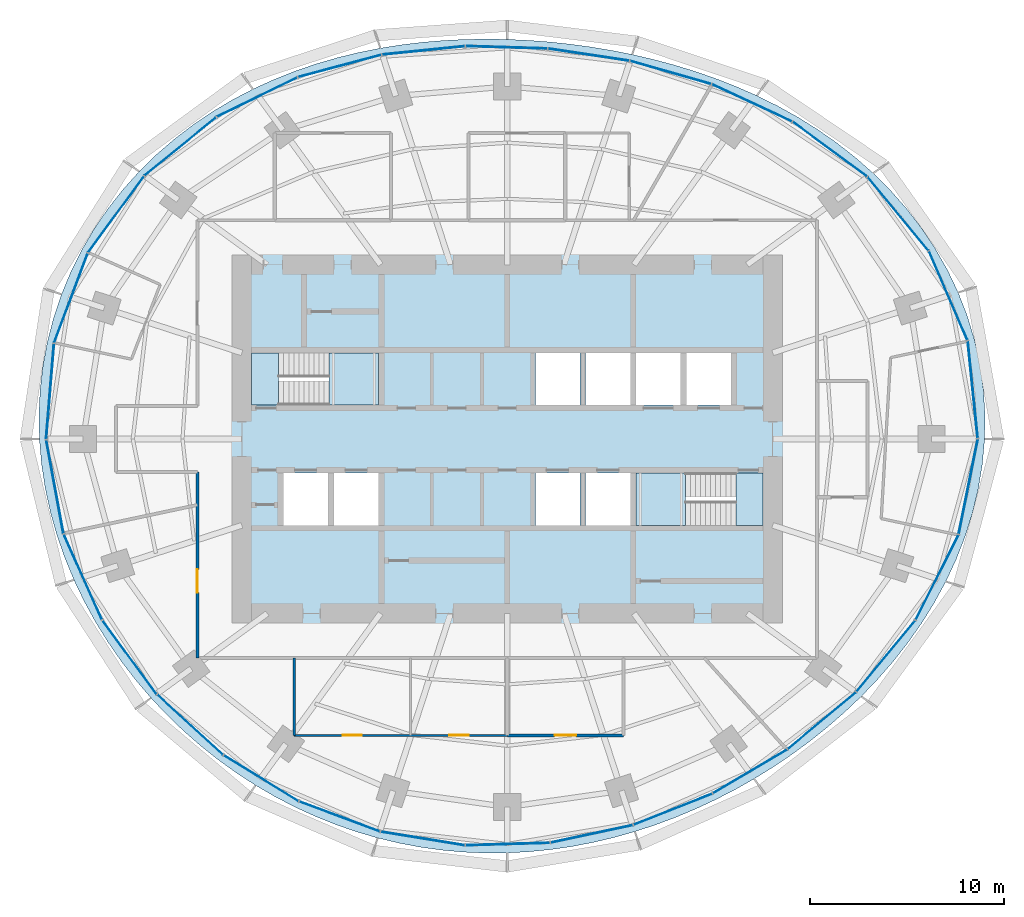
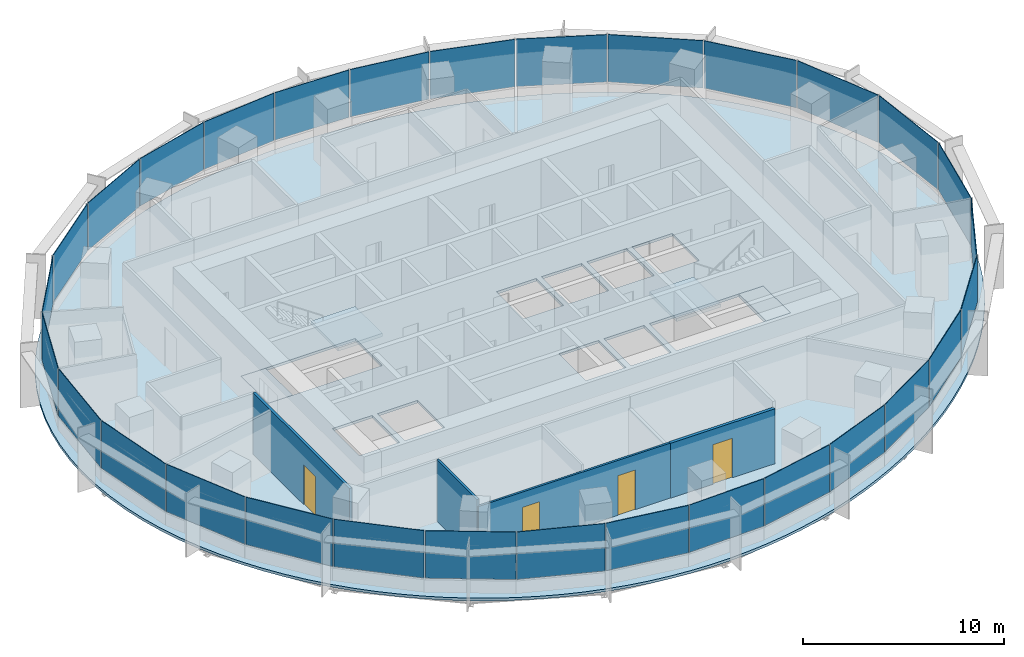
# One storey, part 9 of 14: 30 plates, 5 slabs, 4 doors, 4 walls, 4 openings, 8 elements without a shape of their own.
"""IFC4 building model written with IfcOpenShell, lengths in metres."""

import ifcopenshell
import ifcopenshell.guid

model = None  # the IFC model being written
_history = None  # IfcOwnerHistory: only IFC2X3 demands one
_inside = {}  # id of a spatial element -> (the spatial element, [elements in it])
_under = {}  # id of a project, library or spatial element -> (it, [spatial elements below it])
_declared = {}  # id of a project -> (the project, [libraries it declares])
_typed = {}  # id of a type object -> (the type object, [elements of that type])
_made_of = {}  # id of a material, layer set ... -> (it, [elements and type objects made of it])


def new_model(schema):
    """Start an empty IFC model of exactly this schema.

    Asked for "IFC4X3", IfcOpenShell would pick the latest addendum, in which some entities
    have other attributes; the version numbers below select the first issue.
    IFC2X3 requires an IfcOwnerHistory on every rooted entity: one is made here for all.
    """
    global model, _history
    if schema == "IFC4X3":
        model = ifcopenshell.file(schema_version=(4, 3, 0, 0))
    else:
        model = ifcopenshell.file(schema=schema)
    _inside.clear()
    _under.clear()
    _declared.clear()
    _typed.clear()
    _made_of.clear()
    _history = None
    if model.schema == "IFC2X3":
        org = make("IfcOrganization", Name="unknown")
        user = make(
            "IfcPersonAndOrganization",
            ThePerson=make("IfcPerson", FamilyName="unknown"),
            TheOrganization=org,
        )
        app = make(
            "IfcApplication",
            ApplicationDeveloper=org,
            Version="unknown",
            ApplicationFullName="unknown",
            ApplicationIdentifier="unknown",
        )
        _history = make(
            "IfcOwnerHistory",
            OwningUser=user,
            OwningApplication=app,
            ChangeAction="ADDED",
            CreationDate=0,
        )
    return model


def make(cls, **values):
    """One entity of the class cls with the attributes given. An attribute that is None is left unset."""
    return model.create_entity(
        cls, **{name: value for name, value in values.items() if value is not None}
    )


def rooted(cls, **values):
    """An entity with a GlobalId (a new one), such as an element, a storey or a relation."""
    return make(cls, GlobalId=ifcopenshell.guid.new(), OwnerHistory=_history, **values)


def si_unit(unit_type, name, prefix=None):
    """IfcSIUnit, for example si_unit("LENGTHUNIT", "METRE", prefix="MILLI")."""
    return make("IfcSIUnit", UnitType=unit_type, Prefix=prefix, Name=name)


def assignment(units):
    """IfcUnitAssignment: the units of a project."""
    return None if units is None else make("IfcUnitAssignment", Units=units)


def point(xyz):
    """IfcCartesianPoint."""
    return None if xyz is None else make("IfcCartesianPoint", Coordinates=xyz)


def direction(xyz):
    """IfcDirection."""
    return None if xyz is None else make("IfcDirection", DirectionRatios=xyz)


def frame(location, z_axis=None, x_axis=None):
    """IfcAxis2Placement3D, a coordinate frame: its origin and axes. An axis left out is left unset."""
    return make(
        "IfcAxis2Placement3D",
        Location=point(location),
        Axis=direction(z_axis),
        RefDirection=direction(x_axis),
    )


def frame_2d(location, x_axis=None):
    """IfcAxis2Placement2D, a coordinate frame in the plane: its origin and x axis."""
    return make(
        "IfcAxis2Placement2D", Location=point(location), RefDirection=direction(x_axis)
    )


def origin():
    """The frame at (0, 0, 0) with its axes left unset."""
    return frame((0.0, 0.0, 0.0))


def origin_2d():
    """The frame at (0, 0) in the plane with its x axis left unset."""
    return frame_2d((0.0, 0.0))


def place(relative_to, where):
    """IfcLocalPlacement: puts the frame where relative to a parent placement (None: the world)."""
    return make(
        "IfcLocalPlacement", PlacementRelTo=relative_to, RelativePlacement=where
    )


def context(
    kind, dimensions, precision=None, world=None, true_north=None, identifier=None
):
    """IfcGeometricRepresentationContext, for example the 3D "Model" context."""
    return make(
        "IfcGeometricRepresentationContext",
        ContextIdentifier=identifier,
        ContextType=kind,
        CoordinateSpaceDimension=dimensions,
        Precision=precision,
        WorldCoordinateSystem=world,
        TrueNorth=true_north,
    )


def subcontext(parent, identifier, kind, view, scale=None):
    """IfcGeometricRepresentationSubContext, for example "Body" below "Model"."""
    return make(
        "IfcGeometricRepresentationSubContext",
        ContextIdentifier=identifier,
        ContextType=kind,
        ParentContext=parent,
        TargetScale=scale,
        TargetView=view,
    )


def project(units=None, contexts=None):
    """IfcProject with its units and contexts."""
    return rooted(
        "IfcProject",
        Name="project",
        RepresentationContexts=contexts,
        UnitsInContext=assignment(units),
    )


def spatial(cls, under=None, at=None, **own):
    """A site, building, storey or space (cls), placed at a placement, below another one or the project."""
    s = rooted(cls, ObjectPlacement=at, **own)
    if under is not None:
        _under.setdefault(under.id(), (under, []))[1].append(s)
    return s


def polyline(points):
    """IfcPolyline through the points."""
    return make("IfcPolyline", Points=[point(p) for p in points])


def profile(cls, at=None, kind="AREA", **sizes):
    """A parametric profile (cls). Its sizes go by their IFC names, for example OverallWidth=200.0."""
    return make(cls, ProfileType=kind, Position=at, **sizes)


def rectangle(**sizes):
    """IfcRectangleProfileDef."""
    return profile("IfcRectangleProfileDef", **sizes)


def outline(outer, holes=None, kind="AREA"):
    """IfcArbitraryClosedProfileDef: a profile drawn as a closed curve; with holes, ...WithVoids."""
    if holes is None:
        return make("IfcArbitraryClosedProfileDef", ProfileType=kind, OuterCurve=outer)
    return make(
        "IfcArbitraryProfileDefWithVoids",
        ProfileType=kind,
        OuterCurve=outer,
        InnerCurves=holes,
    )


def extrude(swept, where, along, depth):
    """IfcExtrudedAreaSolid: the profile swept, set in the frame where, extruded along a direction by depth."""
    return make(
        "IfcExtrudedAreaSolid",
        SweptArea=swept,
        Position=where,
        ExtrudedDirection=direction(along),
        Depth=depth,
    )


def shape(context_of_items, identifier, shape_type, items):
    """IfcShapeRepresentation: the items that make up one representation, for example the "Body"."""
    return make(
        "IfcShapeRepresentation",
        ContextOfItems=context_of_items,
        RepresentationIdentifier=identifier,
        RepresentationType=shape_type,
        Items=items,
    )


def material(Name=None, Category=None):
    """IfcMaterial."""
    return make("IfcMaterial", Name=Name, Category=Category)


def layer(
    of_material, thickness, ventilated=None, Name=None, Category=None, Priority=None
):
    """IfcMaterialLayer: one layer of a wall or slab, of a material (None: an air gap)."""
    return make(
        "IfcMaterialLayer",
        Material=of_material,
        LayerThickness=thickness,
        IsVentilated=ventilated,
        Name=Name,
        Category=Category,
        Priority=Priority,
    )


def layer_set(layers, Name=None):
    """IfcMaterialLayerSet."""
    return make("IfcMaterialLayerSet", MaterialLayers=layers, LayerSetName=Name)


def made_of(thing, what):
    """Note that an element or type object is made of a material, layer set ...; save() writes the relation."""
    if what is not None:
        _made_of.setdefault(what.id(), (what, []))[1].append(thing)
    return thing


def type_object(cls, material=None, **own):
    """A type object (cls), such as IfcWallType, which elements share."""
    return made_of(rooted(cls, **own), material)


def element(
    cls,
    number,
    at=None,
    inside=None,
    cuts=None,
    type_object=None,
    material=None,
    context=None,
    identifier="Body",
    shape_type=None,
    held_by="IfcProductDefinitionShape",
    body=None,
    shapes=None,
    **own,
):
    """One element of the class cls, such as IfcWall. Its Tag is "e" and its number.

    at: its placement. inside: the storey or other place that contains it. cuts: it is an
    opening in that element (IfcRelVoidsElement). A single representation is given by context,
    identifier, shape_type and body (its items); several are given by shapes. held_by: the class
    of the entity that holds the representations. save() writes the other relations.
    """
    e = rooted(cls, Tag="e%d" % number, ObjectPlacement=at, **own)
    if body is not None:
        shapes = [shape(context, identifier, shape_type, body)]
    if shapes is not None:
        e.Representation = make(held_by, Representations=shapes)
    if inside is not None:
        _inside.setdefault(inside.id(), (inside, []))[1].append(e)
    if cuts is not None:
        rooted(
            "IfcRelVoidsElement", RelatingBuildingElement=cuts, RelatedOpeningElement=e
        )
    if type_object is not None:
        _typed.setdefault(type_object.id(), (type_object, []))[1].append(e)
    return made_of(e, material)


def fill(opening, filler):
    """IfcRelFillsElement: the door or window that sits in an opening."""
    return rooted(
        "IfcRelFillsElement",
        RelatingOpeningElement=opening,
        RelatedBuildingElement=filler,
    )


def aggregate(whole, parts):
    """IfcRelAggregates: a whole, such as a stair, and the parts it consists of."""
    return rooted("IfcRelAggregates", RelatingObject=whole, RelatedObjects=parts)


def save(model, path):
    """Write the relations noted so far, then the file.

    IfcRelAggregates (storeys below a building ...), IfcRelContainedInSpatialStructure (elements
    in a storey), IfcRelDefinesByType, IfcRelAssociatesMaterial and IfcRelDeclares: one each for
    every whole, place, type object, material and project.
    """
    for whole, parts in _under.values():
        aggregate(whole, parts)
    for where, things in _inside.values():
        rooted(
            "IfcRelContainedInSpatialStructure",
            RelatedElements=things,
            RelatingStructure=where,
        )
    for kind, things in _typed.values():
        rooted("IfcRelDefinesByType", RelatedObjects=things, RelatingType=kind)
    for what, things in _made_of.values():
        rooted("IfcRelAssociatesMaterial", RelatedObjects=things, RelatingMaterial=what)
    for by, libraries in _declared.values():
        rooted("IfcRelDeclares", RelatingContext=by, RelatedDefinitions=libraries)
    model.write(path)


model = new_model("IFC4")

# Units and contexts
model_context = context("Model", 3, precision=1e-05, world=origin(), true_north=direction((0.0, 1.0)))
body_context = subcontext(model_context, "Body", "Model", "MODEL_VIEW")
ifc_project = project(units=[si_unit("LENGTHUNIT", "METRE"), si_unit("AREAUNIT", "SQUARE_METRE"), si_unit("VOLUMEUNIT", "CUBIC_METRE"), si_unit("PLANEANGLEUNIT", "RADIAN"), si_unit("MASSUNIT", "GRAM", prefix="KILO")], contexts=[model_context])

# Site, building, storey
site_placement = place(None, origin())
site = spatial("IfcSite", under=ifc_project, at=site_placement, CompositionType="ELEMENT")
building_placement = place(site_placement, origin())
building = spatial("IfcBuilding", under=site, at=building_placement, Name="Marramba Exchange Tower", CompositionType="ELEMENT")
storey_placement = place(building_placement, frame((0.0, 0.0, 203.300048828125)))
storey = spatial("IfcBuildingStorey", under=building, at=storey_placement, Name="L49", CompositionType="ELEMENT", Elevation=203.300048828125)

# Slab
ifc_material_1 = material(Name="Concrete N40", Category="concrete")
ifc_layer_1 = layer(ifc_material_1, 0.159912109375)
ifc_layer_set_1 = layer_set([ifc_layer_1], Name="Composite floor slab 160")
slab_type_1 = type_object("IfcSlabType", Name="Composite floor slab 160", PredefinedType="FLOOR", material=ifc_layer_set_1)
slab_1_placement = place(storey_placement, frame((0.0, 0.0, -0.16015625)))
element("IfcSlab", 1, at=slab_1_placement, inside=storey, type_object=slab_type_1, Name="Floor slab L49", PredefinedType="FLOOR", context=body_context, shape_type="SweptSolid", body=[
    extrude(outline(polyline([(24.64404296875, 0.0), (24.661376953125, 1.29248046875), (24.580078125, 2.58349609375), (24.399658203125, 3.864501953125), (24.12109375, 5.127197265625), (23.7470703125, 6.363037109375), (23.281494140625, 7.564697265625), (22.72900390625, 8.724853515625), (22.095947265625, 9.837646484375), (21.388427734375, 10.89794921875), (20.614013671875, 11.901611328125), (19.780029296875, 12.845458984375), (18.894287109375, 13.7275390625), (17.964111328125, 14.547119140625), (16.996826171875, 15.303955078125), (15.9990234375, 15.9990234375), (14.977294921875, 16.634033203125), (13.936767578125, 17.21044921875), (12.882568359375, 17.7314453125), (11.819091796875, 18.19970703125), (10.749267578125, 18.6181640625), (9.67578125, 18.989990234375), (8.60107421875, 19.318115234375), (7.52587890625, 19.60546875), (6.451171875, 19.8544921875), (5.377197265625, 20.067626953125), (4.303466796875, 20.246337890625), (3.229736328125, 20.39208984375), (2.1552734375, 20.50537109375), (1.078857421875, 20.5869140625), (0.0, 20.63623046875), (-1.082275390625, 20.652587890625), (-2.168701171875, 20.634765625), (-3.259765625, 20.580810546875), (-4.35498046875, 20.4892578125), (-5.45458984375, 20.35693359375), (-6.557373046875, 20.181884765625), (-7.662353515625, 19.9609375), (-8.76708984375, 19.691162109375), (-9.869384765625, 19.369873046875), (-10.96630859375, 18.994384765625), (-12.05419921875, 18.561767578125), (-13.128662109375, 18.070068359375), (-14.185546875, 17.517578125), (-15.218994140625, 16.902587890625), (-16.22412109375, 16.22412109375), (-17.195068359375, 15.482421875), (-18.12548828125, 14.677734375), (-19.009521484375, 13.811279296875), (-19.841064453125, 12.885009765625), (-20.614013671875, 11.901611328125), (-21.32275390625, 10.864501953125), (-21.9619140625, 9.778076171875), (-22.52685546875, 8.647216796875), (-23.01318359375, 7.477294921875), (-23.417724609375, 6.274658203125), (-23.73779296875, 5.045654296875), (-23.971923828125, 3.796875), (-24.119384765625, 2.53515625), (-24.180419921875, 1.267333984375), (-24.156005859375, 0.0), (-24.04833984375, -1.26025390625), (-23.860107421875, -2.5078125), (-23.594482421875, -3.737060546875), (-23.25537109375, -4.943115234375), (-22.846923828125, -6.121826171875), (-22.373291015625, -7.26953125), (-21.8388671875, -8.38330078125), (-21.247802734375, -9.460205078125), (-20.604248046875, -10.49853515625), (-19.912109375, -11.496337890625), (-19.174560546875, -12.4521484375), (-18.395263671875, -13.364990234375), (-17.5771484375, -14.233642578125), (-16.72265625, -15.05712890625), (-15.834228515625, -15.834228515625), (-14.914794921875, -16.564453125), (-13.966064453125, -17.24658203125), (-12.990234375, -17.879638671875), (-11.98974609375, -18.46240234375), (-10.96630859375, -18.994384765625), (-9.922607421875, -19.47412109375), (-8.860595703125, -19.901123046875), (-7.78271484375, -20.2744140625), (-6.691162109375, -20.593505859375), (-5.5888671875, -20.858154296875), (-4.478271484375, -21.068115234375), (-3.361328125, -21.22314453125), (-2.2412109375, -21.32373046875), (-1.119873046875, -21.370361328125), (0.0, -21.36376953125), (1.116455078125, -21.3046875), (2.2275390625, -21.194580078125), (3.33154296875, -21.0341796875), (4.426513671875, -20.8251953125), (5.511474609375, -20.56884765625), (6.5849609375, -20.266357421875), (7.646240234375, -19.919189453125), (8.694580078125, -19.528076171875), (9.72900390625, -19.09423828125), (10.749267578125, -18.6181640625), (11.75439453125, -18.100341796875), (12.744140625, -17.541015625), (13.71728515625, -16.939697265625), (14.6728515625, -16.2958984375), (15.609130859375, -15.609130859375), (16.5244140625, -14.878662109375), (17.415771484375, -14.10302734375), (18.280029296875, -13.28125), (19.11376953125, -12.41259765625), (19.912109375, -11.496337890625), (20.669921875, -10.531982421875), (21.3818359375, -9.519775390625), (22.041259765625, -8.4609375), (22.641845703125, -7.356689453125), (23.176513671875, -6.210205078125), (23.638671875, -5.024658203125), (24.022216796875, -3.8046875), (24.32080078125, -2.55615234375), (24.529541015625, -1.28564453125), (24.64404296875, 0.0)]), holes=[polyline([(1.449951171875, 1.75), (3.75, 1.75), (3.75, 4.449951171875), (1.449951171875, 4.449951171875), (1.449951171875, 1.75)]), polyline([(4.050048828125, 1.75), (6.35009765625, 1.75), (6.35009765625, 4.449951171875), (4.050048828125, 4.449951171875), (4.050048828125, 1.75)]), polyline([(1.449951171875, -4.449951171875), (3.75, -4.449951171875), (3.75, -1.75), (1.449951171875, -1.75), (1.449951171875, -4.449951171875)]), polyline([(4.050048828125, -4.449951171875), (6.35009765625, -4.449951171875), (6.35009765625, -1.75), (4.050048828125, -1.75), (4.050048828125, -4.449951171875)]), polyline([(6.64990234375, 1.75), (8.949951171875, 1.75), (8.949951171875, 4.449951171875), (6.64990234375, 4.449951171875), (6.64990234375, 1.75)]), polyline([(-8.949951171875, -4.449951171875), (-6.64990234375, -4.449951171875), (-6.64990234375, -1.75), (-8.949951171875, -1.75), (-8.949951171875, -4.449951171875)]), polyline([(-11.550048828125, -4.449951171875), (-9.25, -4.449951171875), (-9.25, -1.75), (-11.550048828125, -1.75), (-11.550048828125, -4.449951171875)]), polyline([(9.25, 1.75), (11.550048828125, 1.75), (11.550048828125, 4.449951171875), (9.25, 4.449951171875), (9.25, 1.75)]), polyline([(-13.199951171875, 1.75), (-6.64990234375, 1.75), (-6.64990234375, 4.449951171875), (-13.199951171875, 4.449951171875), (-13.199951171875, 1.75)]), polyline([(6.64990234375, -4.449951171875), (13.199951171875, -4.449951171875), (13.199951171875, -1.75), (6.64990234375, -1.75), (6.64990234375, -4.449951171875)])]), origin(), (0.0, 0.0, 1.0), 0.16015625),
])

# Curtain wall, plates
ifc_material_2 = material(Name="Aluminium framing, bronze anodised", Category="aluminium")
curtain_wall_type = type_object("IfcCurtainWallType", Name="Office ribbon curtain wall", PredefinedType="USERDEFINED", material=ifc_material_2)
curtain_wall_1_placement = place(storey_placement, origin())
curtain_wall_1 = element("IfcCurtainWall", 2, at=curtain_wall_1_placement, inside=storey, type_object=curtain_wall_type, Name="Curtain wall CW4 L49 F01-F05", ObjectType="RIBBON CURTAIN WALL", PredefinedType="USERDEFINED")
ifc_material_3 = material(Name="Laminated double glazed unit 10.76 + 16 + 10.76, bronze tinted", Category="glass")
ifc_layer_2 = layer(ifc_material_3, 0.03759765625)
ifc_layer_set_2 = layer_set([ifc_layer_2], Name="Office ribbon curtain wall panel")
plate_type = type_object("IfcPlateType", Name="Office ribbon curtain wall panel", PredefinedType="CURTAIN_PANEL", material=ifc_layer_set_2)
plate_1_placement = place(storey_placement, frame((24.033203125, 2.556884765625, 0.860107421875), z_axis=(0.0, 0.0, 1.0), x_axis=(-0.101422472607, 0.994843446001, 0.0)))
plate_1 = element("IfcPlate", 3, at=plate_1_placement, type_object=plate_type, Name="CW4 vision panel", PredefinedType="CURTAIN_PANEL", context=body_context, shape_type="SweptSolid", body=[
    extrude(rectangle(XDim=5.0205078125, YDim=0.03759765625, at=origin_2d()), origin(), (0.0, 0.0, 1.0), 2.8798828125),
])
plate_2_placement = place(storey_placement, frame((22.765625, 7.40234375, 0.860107421875), z_axis=(0.0, 0.0, 1.0), x_axis=(-0.396193346946, 0.918167104527, 0.0)))
plate_2 = element("IfcPlate", 4, at=plate_2_placement, type_object=plate_type, Name="CW4 vision panel", PredefinedType="CURTAIN_PANEL", context=body_context, shape_type="SweptSolid", body=[
    extrude(rectangle(XDim=4.99462890625, YDim=0.03759765625, at=origin_2d()), origin(), (0.0, 0.0, 1.0), 2.8798828125),
])
plate_3_placement = place(storey_placement, frame((20.174560546875, 11.631591796875, 0.860107421875), z_axis=(0.0, 0.0, 1.0), x_axis=(-0.637350227411, 0.770574258342, 0.0)))
plate_3 = element("IfcPlate", 5, at=plate_3_placement, type_object=plate_type, Name="CW4 vision panel", PredefinedType="CURTAIN_PANEL", context=body_context, shape_type="SweptSolid", body=[
    extrude(rectangle(XDim=4.90576171875, YDim=0.03759765625, at=origin_2d()), origin(), (0.0, 0.0, 1.0), 2.8798828125),
])
plate_4_placement = place(storey_placement, frame((16.653076171875, 14.965576171875, 0.860107421875), z_axis=(0.0, 0.0, 1.0), x_axis=(-0.804877259395, 0.593441317494, 0.0)))
plate_4 = element("IfcPlate", 6, at=plate_4_placement, type_object=plate_type, Name="CW4 vision panel", PredefinedType="CURTAIN_PANEL", context=body_context, shape_type="SweptSolid", body=[
    extrude(rectangle(XDim=4.745849609375, YDim=0.03759765625, at=origin_2d()), origin(), (0.0, 0.0, 1.0), 2.8798828125),
])
plate_5_placement = place(storey_placement, frame((12.63134765625, 17.357177734375, 0.860107421875), z_axis=(0.0, 0.0, 1.0), x_axis=(-0.906533907301, 0.422133006189, 0.0)))
plate_5 = element("IfcPlate", 7, at=plate_5_placement, type_object=plate_type, Name="CW4 vision panel", PredefinedType="CURTAIN_PANEL", context=body_context, shape_type="SweptSolid", body=[
    extrude(rectangle(XDim=4.53857421875, YDim=0.03759765625, at=origin_2d()), origin(), (0.0, 0.0, 1.0), 2.8798828125),
])
aggregate(curtain_wall_1, [plate_1, plate_2, plate_3, plate_4, plate_5])

curtain_wall_2_placement = place(storey_placement, origin())
curtain_wall_2 = element("IfcCurtainWall", 8, at=curtain_wall_2_placement, inside=storey, type_object=curtain_wall_type, Name="Curtain wall CW4 L49 F06-F10", ObjectType="RIBBON CURTAIN WALL", PredefinedType="USERDEFINED")
plate_6_placement = place(storey_placement, frame((8.4296875, 18.926513671875, 0.860107421875), z_axis=(0.0, 0.0, 1.0), x_axis=(-0.961658954195, 0.274248164656, 0.0)))
plate_6 = element("IfcPlate", 9, at=plate_6_placement, type_object=plate_type, Name="CW4 vision panel", PredefinedType="CURTAIN_PANEL", context=body_context, shape_type="SweptSolid", body=[
    extrude(rectangle(XDim=4.33984375, YDim=0.03759765625, at=origin_2d()), origin(), (0.0, 0.0, 1.0), 2.8798828125),
])
plate_7_placement = place(storey_placement, frame((4.201171875, 19.843994140625, 0.860107421875), z_axis=(0.0, 0.0, 1.0), x_axis=(-0.988868065698, 0.148794988635, 0.0)))
plate_7 = element("IfcPlate", 10, at=plate_7_placement, type_object=plate_type, Name="CW4 vision panel", PredefinedType="CURTAIN_PANEL", context=body_context, shape_type="SweptSolid", body=[
    extrude(rectangle(XDim=4.2119140625, YDim=0.03759765625, at=origin_2d()), origin(), (0.0, 0.0, 1.0), 2.8798828125),
])
plate_8_placement = place(storey_placement, frame((-0.036865234375, 20.222900390625, 0.860107421875), z_axis=(0.0, 0.0, 1.0), x_axis=(-0.999538000143, 0.03039385249, 0.0)))
plate_8 = element("IfcPlate", 11, at=plate_8_placement, type_object=plate_type, Name="CW4 vision panel", PredefinedType="CURTAIN_PANEL", context=body_context, shape_type="SweptSolid", body=[
    extrude(rectangle(XDim=4.19287109375, YDim=0.03759765625, at=origin_2d()), origin(), (0.0, 0.0, 1.0), 2.8798828125),
])
plate_9_placement = place(storey_placement, frame((-4.320556640625, 20.064697265625, 0.860107421875), z_axis=(0.0, 0.0, 1.0), x_axis=(-0.994900357369, -0.100862673507, 0.0)))
plate_9 = element("IfcPlate", 12, at=plate_9_placement, type_object=plate_type, Name="CW4 vision panel", PredefinedType="CURTAIN_PANEL", context=body_context, shape_type="SweptSolid", body=[
    extrude(rectangle(XDim=4.279296875, YDim=0.03759765625, at=origin_2d()), origin(), (0.0, 0.0, 1.0), 2.8798828125),
])
plate_10_placement = place(storey_placement, frame((-8.6494140625, 19.262451171875, 0.860107421875), z_axis=(0.0, 0.0, 1.0), x_axis=(-0.966240653155, -0.257641223778, 0.0)))
plate_10 = element("IfcPlate", 13, at=plate_10_placement, type_object=plate_type, Name="CW4 vision panel", PredefinedType="CURTAIN_PANEL", context=body_context, shape_type="SweptSolid", body=[
    extrude(rectangle(XDim=4.433837890625, YDim=0.03759765625, at=origin_2d()), origin(), (0.0, 0.0, 1.0), 2.8798828125),
])
aggregate(curtain_wall_2, [plate_6, plate_7, plate_8, plate_9, plate_10])

curtain_wall_3_placement = place(storey_placement, origin())
curtain_wall_3 = element("IfcCurtainWall", 14, at=curtain_wall_3_placement, inside=storey, type_object=curtain_wall_type, Name="Curtain wall CW4 L49 F11-F15", ObjectType="RIBBON CURTAIN WALL", PredefinedType="USERDEFINED")
plate_11_placement = place(storey_placement, frame((-12.9150390625, 17.653564453125, 0.860107421875), z_axis=(0.0, 0.0, 1.0), x_axis=(-0.898500518805, -0.438972456661, 0.0)))
plate_11 = element("IfcPlate", 15, at=plate_11_placement, type_object=plate_type, Name="CW4 vision panel", PredefinedType="CURTAIN_PANEL", context=body_context, shape_type="SweptSolid", body=[
    extrude(rectangle(XDim=4.607177734375, YDim=0.03759765625, at=origin_2d()), origin(), (0.0, 0.0, 1.0), 2.8798828125),
])
plate_12_placement = place(storey_placement, frame((-16.87890625, 15.10498046875, 0.860107421875), z_axis=(0.0, 0.0, 1.0), x_axis=(-0.776432169145, -0.630200830464, 0.0)))
plate_12 = element("IfcPlate", 16, at=plate_12_placement, type_object=plate_type, Name="CW4 vision panel", PredefinedType="CURTAIN_PANEL", context=body_context, shape_type="SweptSolid", body=[
    extrude(rectangle(XDim=4.7587890625, YDim=0.03759765625, at=origin_2d()), origin(), (0.0, 0.0, 1.0), 2.8798828125),
])
plate_13_placement = place(storey_placement, frame((-20.2021484375, 11.596435546875, 0.860107421875), z_axis=(0.0, 0.0, 1.0), x_axis=(-0.591962922138, -0.805965197024, 0.0)))
plate_13 = element("IfcPlate", 17, at=plate_13_placement, type_object=plate_type, Name="CW4 vision panel", PredefinedType="CURTAIN_PANEL", context=body_context, shape_type="SweptSolid", body=[
    extrude(rectangle(XDim=4.865478515625, YDim=0.03759765625, at=origin_2d()), origin(), (0.0, 0.0, 1.0), 2.8798828125),
])
plate_14_placement = place(storey_placement, frame((-22.529296875, 7.276123046875, 0.860107421875), z_axis=(0.0, 0.0, 1.0), x_axis=(-0.351951515885, -0.936018231909, 0.0)))
plate_14 = element("IfcPlate", 18, at=plate_14_placement, type_object=plate_type, Name="CW4 vision panel", PredefinedType="CURTAIN_PANEL", context=body_context, shape_type="SweptSolid", body=[
    extrude(rectangle(XDim=4.921630859375, YDim=0.03759765625, at=origin_2d()), origin(), (0.0, 0.0, 1.0), 2.8798828125),
])
plate_15_placement = place(storey_placement, frame((-23.603271484375, 2.45654296875, 0.860107421875), z_axis=(0.0, 0.0, 1.0), x_axis=(-0.082280890264, -0.996609178714, 0.0)))
plate_15 = element("IfcPlate", 19, at=plate_15_placement, type_object=plate_type, Name="CW4 vision panel", PredefinedType="CURTAIN_PANEL", context=body_context, shape_type="SweptSolid", body=[
    extrude(rectangle(XDim=4.9296875, YDim=0.03759765625, at=origin_2d()), origin(), (0.0, 0.0, 1.0), 2.8798828125),
])
aggregate(curtain_wall_3, [plate_11, plate_12, plate_13, plate_14, plate_15])

curtain_wall_4_placement = place(storey_placement, origin())
curtain_wall_4 = element("IfcCurtainWall", 20, at=curtain_wall_4_placement, inside=storey, type_object=curtain_wall_type, Name="Curtain wall CW4 L49 F16-F20", ObjectType="RIBBON CURTAIN WALL", PredefinedType="USERDEFINED")
plate_16_placement = place(storey_placement, frame((-23.354248046875, -2.464599609375, 0.860107421875), z_axis=(0.0, 0.0, 1.0), x_axis=(0.180327438996, -0.983606636184, 0.0)))
plate_16 = element("IfcPlate", 21, at=plate_16_placement, type_object=plate_type, Name="CW4 vision panel", PredefinedType="CURTAIN_PANEL", context=body_context, shape_type="SweptSolid", body=[
    extrude(rectangle(XDim=4.8916015625, YDim=0.03759765625, at=origin_2d()), origin(), (0.0, 0.0, 1.0), 2.8798828125),
])
plate_17_placement = place(storey_placement, frame((-21.908447265625, -7.12158203125, 0.860107421875), z_axis=(0.0, 0.0, 1.0), x_axis=(0.407557580942, -0.913179510401, 0.0)))
plate_17 = element("IfcPlate", 22, at=plate_17_placement, type_object=plate_type, Name="CW4 vision panel", PredefinedType="CURTAIN_PANEL", context=body_context, shape_type="SweptSolid", body=[
    extrude(rectangle(XDim=4.810302734375, YDim=0.03759765625, at=origin_2d()), origin(), (0.0, 0.0, 1.0), 2.8798828125),
])
plate_18_placement = place(storey_placement, frame((-19.50244140625, -11.2626953125, 0.860107421875), z_axis=(0.0, 0.0, 1.0), x_axis=(0.591223103363, -0.806508054547, 0.0)))
plate_18 = element("IfcPlate", 23, at=plate_18_placement, type_object=plate_type, Name="CW4 vision panel", PredefinedType="CURTAIN_PANEL", context=body_context, shape_type="SweptSolid", body=[
    extrude(rectangle(XDim=4.703125, YDim=0.03759765625, at=origin_2d()), origin(), (0.0, 0.0, 1.0), 2.8798828125),
])
plate_19_placement = place(storey_placement, frame((-16.374267578125, -14.752197265625, 0.860107421875), z_axis=(0.0, 0.0, 1.0), x_axis=(0.737203264245, -0.67567103474, 0.0)))
plate_19 = element("IfcPlate", 24, at=plate_19_placement, type_object=plate_type, Name="CW4 vision panel", PredefinedType="CURTAIN_PANEL", context=body_context, shape_type="SweptSolid", body=[
    extrude(rectangle(XDim=4.594970703125, YDim=0.03759765625, at=origin_2d()), origin(), (0.0, 0.0, 1.0), 2.8798828125),
])
plate_20_placement = place(storey_placement, frame((-12.71044921875, -17.513427734375, 0.860107421875), z_axis=(0.0, 0.0, 1.0), x_axis=(0.85230101176, -0.52305160869, 0.0)))
plate_20 = element("IfcPlate", 25, at=plate_20_placement, type_object=plate_type, Name="CW4 vision panel", PredefinedType="CURTAIN_PANEL", context=body_context, shape_type="SweptSolid", body=[
    extrude(rectangle(XDim=4.503173828125, YDim=0.03759765625, at=origin_2d()), origin(), (0.0, 0.0, 1.0), 2.8798828125),
])
aggregate(curtain_wall_4, [plate_16, plate_17, plate_18, plate_19, plate_20])

curtain_wall_5_placement = place(storey_placement, origin())
curtain_wall_5 = element("IfcCurtainWall", 26, at=curtain_wall_5_placement, inside=storey, type_object=curtain_wall_type, Name="Curtain wall CW4 L49 F21-F25", ObjectType="RIBBON CURTAIN WALL", PredefinedType="USERDEFINED")
plate_21_placement = place(storey_placement, frame((-8.6591796875, -19.486572265625, 0.860107421875), z_axis=(0.0, 0.0, 1.0), x_axis=(0.936951583142, -0.349459197687, 0.0)))
plate_21 = element("IfcPlate", 27, at=plate_21_placement, type_object=plate_type, Name="CW4 vision panel", PredefinedType="CURTAIN_PANEL", context=body_context, shape_type="SweptSolid", body=[
    extrude(rectangle(XDim=4.431396484375, YDim=0.03759765625, at=origin_2d()), origin(), (0.0, 0.0, 1.0), 2.8798828125),
])
plate_22_placement = place(storey_placement, frame((-4.3642578125, -20.623046875, 0.860107421875), z_axis=(0.0, 0.0, 1.0), x_axis=(0.986930623159, -0.161145726194, 0.0)))
plate_22 = element("IfcPlate", 28, at=plate_22_placement, type_object=plate_type, Name="CW4 vision panel", PredefinedType="CURTAIN_PANEL", context=body_context, shape_type="SweptSolid", body=[
    extrude(rectangle(XDim=4.37646484375, YDim=0.03759765625, at=origin_2d()), origin(), (0.0, 0.0, 1.0), 2.8798828125),
])
plate_23_placement = place(storey_placement, frame((0.023193359375, -20.91015625, 0.860107421875), z_axis=(0.0, 0.0, 1.0), x_axis=(0.99956791915, 0.029393451762, 0.0)))
plate_23 = element("IfcPlate", 29, at=plate_23_placement, type_object=plate_type, Name="CW4 vision panel", PredefinedType="CURTAIN_PANEL", context=body_context, shape_type="SweptSolid", body=[
    extrude(rectangle(XDim=4.337646484375, YDim=0.03759765625, at=origin_2d()), origin(), (0.0, 0.0, 1.0), 2.8798828125),
])
plate_24_placement = place(storey_placement, frame((4.36328125, -20.3837890625, 0.860107421875), z_axis=(0.0, 0.0, 1.0), x_axis=(0.978058069607, 0.208332456608, 0.0)))
plate_24 = element("IfcPlate", 30, at=plate_24_placement, type_object=plate_type, Name="CW4 vision panel", PredefinedType="CURTAIN_PANEL", context=body_context, shape_type="SweptSolid", body=[
    extrude(rectangle(XDim=4.32177734375, YDim=0.03759765625, at=origin_2d()), origin(), (0.0, 0.0, 1.0), 2.8798828125),
])
plate_25_placement = place(storey_placement, frame((8.553466796875, -19.11328125, 0.860107421875), z_axis=(0.0, 0.0, 1.0), x_axis=(0.93007301435, 0.367374724195, 0.0)))
plate_25 = element("IfcPlate", 31, at=plate_25_placement, type_object=plate_type, Name="CW4 vision panel", PredefinedType="CURTAIN_PANEL", context=body_context, shape_type="SweptSolid", body=[
    extrude(rectangle(XDim=4.345458984375, YDim=0.03759765625, at=origin_2d()), origin(), (0.0, 0.0, 1.0), 2.8798828125),
])
aggregate(curtain_wall_5, [plate_21, plate_22, plate_23, plate_24, plate_25])

curtain_wall_6_placement = place(storey_placement, origin())
curtain_wall_6 = element("IfcCurtainWall", 32, at=curtain_wall_6_placement, inside=storey, type_object=curtain_wall_type, Name="Curtain wall CW4 L49 F26-F30", ObjectType="RIBBON CURTAIN WALL", PredefinedType="USERDEFINED")
plate_26_placement = place(storey_placement, frame((12.5322265625, -17.16015625, 0.860107421875), z_axis=(0.0, 0.0, 1.0), x_axis=(0.861350833897, 0.508010571686, 0.0)))
plate_26 = element("IfcPlate", 33, at=plate_26_placement, type_object=plate_type, Name="CW4 vision panel", PredefinedType="CURTAIN_PANEL", context=body_context, shape_type="SweptSolid", body=[
    extrude(rectangle(XDim=4.426513671875, YDim=0.03759765625, at=origin_2d()), origin(), (0.0, 0.0, 1.0), 2.8798828125),
])
plate_27_placement = place(storey_placement, frame((16.240966796875, -14.536376953125, 0.860107421875), z_axis=(0.0, 0.0, 1.0), x_axis=(0.768736798421, 0.639565270127, 0.0)))
plate_27 = element("IfcPlate", 34, at=plate_27_placement, type_object=plate_type, Name="CW4 vision panel", PredefinedType="CURTAIN_PANEL", context=body_context, shape_type="SweptSolid", body=[
    extrude(rectangle(XDim=4.568603515625, YDim=0.03759765625, at=origin_2d()), origin(), (0.0, 0.0, 1.0), 2.8798828125),
])
plate_28_placement = place(storey_placement, frame((19.548583984375, -11.203369140625, 0.860107421875), z_axis=(0.0, 0.0, 1.0), x_axis=(0.63814998673, 0.769912069289, 0.0)))
plate_28 = element("IfcPlate", 35, at=plate_28_placement, type_object=plate_type, Name="CW4 vision panel", PredefinedType="CURTAIN_PANEL", context=body_context, shape_type="SweptSolid", body=[
    extrude(rectangle(XDim=4.7431640625, YDim=0.03759765625, at=origin_2d()), origin(), (0.0, 0.0, 1.0), 2.8798828125),
])
plate_29_placement = place(storey_placement, frame((22.19287109375, -7.137939453125, 0.860107421875), z_axis=(0.0, 0.0, 1.0), x_axis=(0.450673083956, 0.892689067591, 0.0)))
plate_29 = element("IfcPlate", 36, at=plate_29_placement, type_object=plate_type, Name="CW4 vision panel", PredefinedType="CURTAIN_PANEL", context=body_context, shape_type="SweptSolid", body=[
    extrude(rectangle(XDim=4.897705078125, YDim=0.03759765625, at=origin_2d()), origin(), (0.0, 0.0, 1.0), 2.8798828125),
])
plate_30_placement = place(storey_placement, frame((23.801025390625, -2.446533203125, 0.860107421875), z_axis=(0.0, 0.0, 1.0), x_axis=(0.197495405316, 0.980303812539, 0.0)))
plate_30 = element("IfcPlate", 37, at=plate_30_placement, type_object=plate_type, Name="CW4 vision panel", PredefinedType="CURTAIN_PANEL", context=body_context, shape_type="SweptSolid", body=[
    extrude(rectangle(XDim=4.9912109375, YDim=0.03759765625, at=origin_2d()), origin(), (0.0, 0.0, 1.0), 2.8798828125),
])
aggregate(curtain_wall_6, [plate_26, plate_27, plate_28, plate_29, plate_30])

# Stair, slabs
ifc_material_4 = material(Name="Concrete N40 (40 MPa)", Category="concrete")
stair_type_1 = type_object("IfcStairType", Name="Exit stair ST1 3900 x 1250", PredefinedType="HALF_TURN_STAIR", material=ifc_material_4)
stair_1_placement = place(storey_placement, origin())
stair_1 = element("IfcStair", 38, at=stair_1_placement, inside=storey, type_object=stair_type_1, Name="Exit stair ST1 L49", PredefinedType="HALF_TURN_STAIR")
ifc_layer_3 = layer(ifc_material_4, 0.199951171875)
ifc_layer_set_3 = layer_set([ifc_layer_3], Name="Stair landing 200")
slab_type_2 = type_object("IfcSlabType", Name="Stair landing 200", PredefinedType="LANDING", material=ifc_layer_set_3)
slab_2_placement = place(storey_placement, frame((0.0, 0.0, -0.199951171875)))
slab_2 = element("IfcSlab", 39, at=slab_2_placement, type_object=slab_type_2, Name="ST1 landing 1", PredefinedType="LANDING", context=body_context, shape_type="SweptSolid", body=[
    extrude(outline(polyline([(-13.199951171875, 1.75), (-11.800048828125, 1.75), (-11.800048828125, 4.449951171875), (-13.199951171875, 4.449951171875), (-13.199951171875, 1.75)])), origin(), (0.0, 0.0, 1.0), 0.199951171875),
])
slab_3_placement = place(storey_placement, frame((0.0, 0.0, 1.75)))
slab_3 = element("IfcSlab", 40, at=slab_3_placement, type_object=slab_type_2, Name="ST1 landing 2", PredefinedType="LANDING", context=body_context, shape_type="SweptSolid", body=[
    extrude(outline(polyline([(-9.199951171875, 1.75), (-6.64990234375, 1.75), (-6.64990234375, 4.449951171875), (-9.199951171875, 4.449951171875), (-9.199951171875, 1.75)])), origin(), (0.0, 0.0, 1.0), 0.199951171875),
])
aggregate(stair_1, [slab_2, slab_3])

stair_type_2 = type_object("IfcStairType", Name="Exit stair ST2 3900 x 1250", PredefinedType="HALF_TURN_STAIR", material=ifc_material_4)
stair_2_placement = place(storey_placement, origin())
stair_2 = element("IfcStair", 41, at=stair_2_placement, inside=storey, type_object=stair_type_2, Name="Exit stair ST2 L49", PredefinedType="HALF_TURN_STAIR")
slab_4_placement = place(storey_placement, frame((0.0, 0.0, -0.199951171875)))
slab_4 = element("IfcSlab", 42, at=slab_4_placement, type_object=slab_type_2, Name="ST2 landing 1", PredefinedType="LANDING", context=body_context, shape_type="SweptSolid", body=[
    extrude(outline(polyline([(11.800048828125, -4.449951171875), (13.199951171875, -4.449951171875), (13.199951171875, -1.75), (11.800048828125, -1.75), (11.800048828125, -4.449951171875)])), origin(), (0.0, 0.0, 1.0), 0.199951171875),
])
slab_5_placement = place(storey_placement, frame((0.0, 0.0, 1.75)))
slab_5 = element("IfcSlab", 43, at=slab_5_placement, type_object=slab_type_2, Name="ST2 landing 2", PredefinedType="LANDING", context=body_context, shape_type="SweptSolid", body=[
    extrude(outline(polyline([(6.64990234375, -4.449951171875), (9.199951171875, -4.449951171875), (9.199951171875, -1.75), (6.64990234375, -1.75), (6.64990234375, -4.449951171875)])), origin(), (0.0, 0.0, 1.0), 0.199951171875),
])
aggregate(stair_2, [slab_4, slab_5])

# Wall, opening, door
ifc_material_5 = material(Name="Plasterboard on staggered double steel studs, acoustic insulation", Category="steel")
ifc_layer_4 = layer(ifc_material_5, 0.169921875)
ifc_layer_set_4 = layer_set([ifc_layer_4], Name="Acoustic partition 170")
wall_type_1 = type_object("IfcWallType", Name="Acoustic partition 170", PredefinedType="PARTITIONING", material=ifc_layer_set_4)
wall_1_placement = place(storey_placement, frame((0.0, -15.300048828125, 0.0), z_axis=(0.0, 0.0, 1.0), x_axis=(1.0, 0.0, 0.0)))
wall_1 = element("IfcWall", 44, at=wall_1_placement, inside=storey, type_object=wall_type_1, Name="Acoustic partition L49 09", PredefinedType="PARTITIONING", context=body_context, shape_type="SweptSolid", body=[
    extrude(rectangle(XDim=6.0, YDim=0.169921875, at=frame_2d((3.0, 0.0))), origin(), (0.0, 0.0, 1.0), 3.333984375),
])
opening_1_placement = place(wall_1_placement, frame((2.449951171875, 0.0, 0.0)))
opening_1 = element("IfcOpeningElement", 45, at=opening_1_placement, cuts=wall_1, Name="Opening D15", PredefinedType="OPENING", context=body_context, shape_type="SweptSolid", body=[
    extrude(rectangle(XDim=1.10009765625, YDim=2.39990234375, at=frame_2d((0.550048828125, 1.199951171875))), frame((0.0, 0.094970703125, 0.0), z_axis=(0.0, -1.0, 0.0), x_axis=(1.0, 0.0, 0.0)), (0.0, 0.0, 1.0), 0.18994140625),
])
ifc_material_6 = material(Name="Timber door", Category="wood")
door_type_1 = type_object("IfcDoorType", Name="Glazed meeting room door 1100x2400", OperationType="SINGLE_SWING_LEFT", PredefinedType="DOOR", material=ifc_material_6)
door_1_placement = place(opening_1_placement, origin())
door_1 = element("IfcDoor", 46, at=door_1_placement, inside=storey, type_object=door_type_1, Name="D15 Meeting Room 4 L49", OperationType="SINGLE_SWING_RIGHT", OverallHeight=2.39990234375, OverallWidth=1.10009765625, PredefinedType="DOOR", context=body_context, shape_type="SweptSolid", body=[
    extrude(rectangle(XDim=1.10009765625, YDim=2.39990234375, at=frame_2d((0.550048828125, 1.199951171875))), frame((0.0, 0.02490234375, 0.0), z_axis=(0.0, -1.0, 0.0), x_axis=(1.0, 0.0, 0.0)), (0.0, 0.0, 1.0), 0.050048828125),
])
fill(opening_1, door_1)

# Wall
ifc_material_7 = material(Name="Plasterboard on steel studs", Category="steel")
ifc_layer_5 = layer(ifc_material_7, 0.1201171875)
ifc_layer_set_5 = layer_set([ifc_layer_5], Name="Partition 120")
wall_type_2 = type_object("IfcWallType", Name="Partition 120", PredefinedType="PARTITIONING", material=ifc_layer_set_5)
wall_2_placement = place(storey_placement, frame((-11.0, -11.300048828125, 0.0), z_axis=(0.0, 0.0, 1.0), x_axis=(0.0, -1.0, 0.0)))
element("IfcWall", 47, at=wall_2_placement, inside=storey, type_object=wall_type_2, Name="Partition L49 04", PredefinedType="PARTITIONING", context=body_context, shape_type="SweptSolid", body=[
    extrude(rectangle(XDim=4.0, YDim=0.1201171875, at=frame_2d((2.0, 0.0))), origin(), (0.0, 0.0, 1.0), 3.739990234375),
])

# Wall, openings, doors
wall_3_placement = place(storey_placement, frame((-11.0, -15.300048828125, 0.0), z_axis=(0.0, 0.0, 1.0), x_axis=(1.0, 0.0, 0.0)))
wall_3 = element("IfcWall", 48, at=wall_3_placement, inside=storey, type_object=wall_type_2, Name="Partition L49 07", PredefinedType="PARTITIONING", context=body_context, shape_type="SweptSolid", body=[
    extrude(rectangle(XDim=11.0, YDim=0.1201171875, at=frame_2d((5.5, 0.0))), origin(), (0.0, 0.0, 1.0), 3.333984375),
])
opening_2_placement = place(wall_3_placement, frame((2.5, 0.0, 0.0)))
opening_2 = element("IfcOpeningElement", 49, at=opening_2_placement, cuts=wall_3, Name="Opening D9", PredefinedType="OPENING", context=body_context, shape_type="SweptSolid", body=[
    extrude(rectangle(XDim=1.0, YDim=2.39990234375, at=frame_2d((0.5, 1.199951171875))), frame((0.0, 0.070068359375, 0.0), z_axis=(0.0, -1.0, 0.0), x_axis=(1.0, 0.0, 0.0)), (0.0, 0.0, 1.0), 0.14013671875),
])
opening_3_placement = place(wall_3_placement, frame((8.0, 0.0, 0.0)))
opening_3 = element("IfcOpeningElement", 50, at=opening_3_placement, cuts=wall_3, Name="Opening D9", PredefinedType="OPENING", context=body_context, shape_type="SweptSolid", body=[
    extrude(rectangle(XDim=1.0, YDim=2.39990234375, at=frame_2d((0.5, 1.199951171875))), frame((0.0, 0.070068359375, 0.0), z_axis=(0.0, -1.0, 0.0), x_axis=(1.0, 0.0, 0.0)), (0.0, 0.0, 1.0), 0.14013671875),
])
door_type_2 = type_object("IfcDoorType", Name="Room door 1000x2400", OperationType="SINGLE_SWING_LEFT", PredefinedType="DOOR", material=ifc_material_6)
door_2_placement = place(opening_2_placement, origin())
door_2 = element("IfcDoor", 51, at=door_2_placement, inside=storey, type_object=door_type_2, Name="D9 Pantry 2 L49", OperationType="SINGLE_SWING_RIGHT", OverallHeight=2.39990234375, OverallWidth=1.0, PredefinedType="DOOR", context=body_context, shape_type="SweptSolid", body=[
    extrude(rectangle(XDim=1.0, YDim=2.39990234375, at=frame_2d((0.5, 1.199951171875))), frame((0.0, 0.02490234375, 0.0), z_axis=(0.0, -1.0, 0.0), x_axis=(1.0, 0.0, 0.0)), (0.0, 0.0, 1.0), 0.050048828125),
])
fill(opening_2, door_2)
door_3_placement = place(opening_3_placement, origin())
door_3 = element("IfcDoor", 52, at=door_3_placement, inside=storey, type_object=door_type_2, Name="D9 Print Room L49", OperationType="SINGLE_SWING_RIGHT", OverallHeight=2.39990234375, OverallWidth=1.0, PredefinedType="DOOR", context=body_context, shape_type="SweptSolid", body=[
    extrude(rectangle(XDim=1.0, YDim=2.39990234375, at=frame_2d((0.5, 1.199951171875))), frame((0.0, 0.02490234375, 0.0), z_axis=(0.0, -1.0, 0.0), x_axis=(1.0, 0.0, 0.0)), (0.0, 0.0, 1.0), 0.050048828125),
])
fill(opening_3, door_3)

# Wall, opening, door
ifc_material_8 = material(Name="Fire-rated plasterboard on steel studs, acoustic insulation", Category="steel")
ifc_layer_6 = layer(ifc_material_8, 0.14990234375)
ifc_layer_set_6 = layer_set([ifc_layer_6], Name="Tenancy wall 150")
wall_type_3 = type_object("IfcWallType", Name="Tenancy wall 150", PredefinedType="PARTITIONING", material=ifc_layer_set_6)
wall_4_placement = place(storey_placement, frame((-16.0, -1.699951171875, 0.0), z_axis=(0.0, 0.0, 1.0), x_axis=(0.0, -1.0, 0.0)))
wall_4 = element("IfcWall", 53, at=wall_4_placement, inside=storey, type_object=wall_type_3, Name="Tenancy wall L49 03", PredefinedType="PARTITIONING", context=body_context, shape_type="SweptSolid", body=[
    extrude(rectangle(XDim=9.60009765625, YDim=0.14990234375, at=frame_2d((4.800048828125, 0.0))), origin(), (0.0, 0.0, 1.0), 3.739990234375),
])
opening_4_placement = place(wall_4_placement, frame((5.02490234375, 0.0, 0.0)))
opening_4 = element("IfcOpeningElement", 54, at=opening_4_placement, cuts=wall_4, Name="Opening D13", PredefinedType="OPENING", context=body_context, shape_type="SweptSolid", body=[
    extrude(rectangle(XDim=1.199951171875, YDim=2.39990234375, at=frame_2d((0.60009765625, 1.199951171875))), frame((0.0, 0.0849609375, 0.0), z_axis=(0.0, -1.0, 0.0), x_axis=(1.0, 0.0, 0.0)), (0.0, 0.0, 1.0), 0.169921875),
])
ifc_material_9 = material(Name="Steel-framed door", Category="steel")
door_type_3 = type_object("IfcDoorType", Name="Tenancy entry door 1200x2400", OperationType="SINGLE_SWING_LEFT", PredefinedType="DOOR", material=ifc_material_9)
door_4_placement = place(opening_4_placement, origin())
door_4 = element("IfcDoor", 55, at=door_4_placement, inside=storey, type_object=door_type_3, Name="D13 Office 3 L49", OperationType="SINGLE_SWING_RIGHT", OverallHeight=2.39990234375, OverallWidth=1.199951171875, PredefinedType="DOOR", context=body_context, shape_type="SweptSolid", body=[
    extrude(rectangle(XDim=1.199951171875, YDim=2.39990234375, at=frame_2d((0.60009765625, 1.199951171875))), frame((0.0, 0.02490234375, 0.0), z_axis=(0.0, -1.0, 0.0), x_axis=(1.0, 0.0, 0.0)), (0.0, 0.0, 1.0), 0.050048828125),
])
fill(opening_4, door_4)

save(model, "model.ifc")
